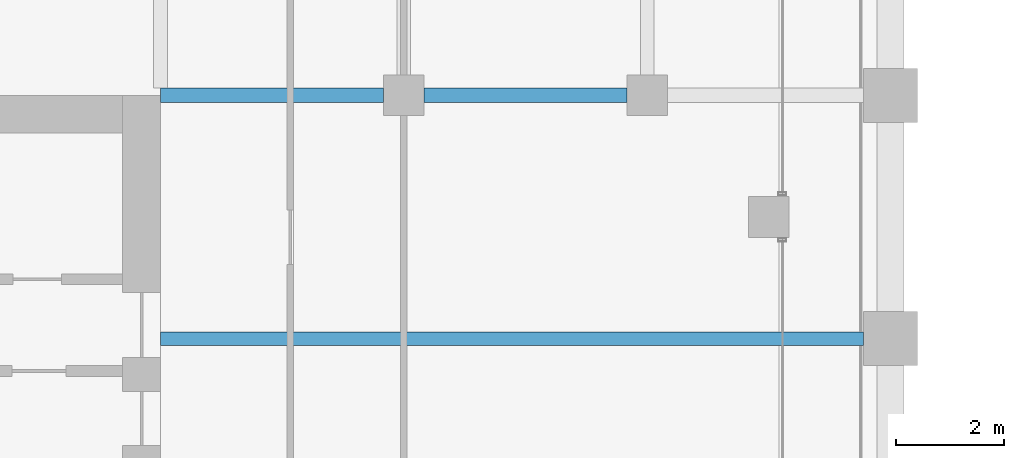
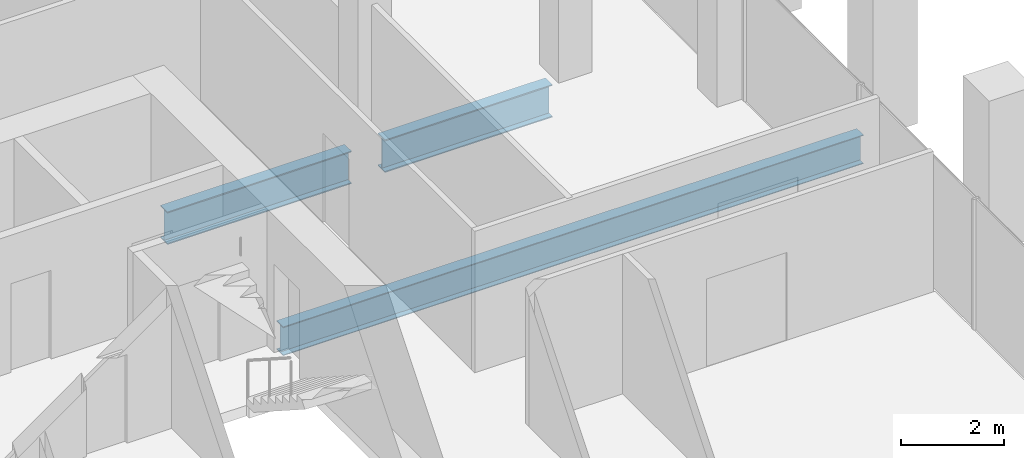
# One storey, part 18 of 45: 3 beams.
"""IFC4 building model written with IfcOpenShell, lengths in metres."""

from ifc_helpers import new_model, si_unit, direction, frame, origin, origin_2d, place, context, subcontext, project, spatial, i_section, extrude, material, material_profile, profile_set, type_object, element, save


model = new_model("IFC4")

# Units and contexts
model_context = context("Model", 3, precision=1e-05, world=origin(), true_north=direction((0.0, 1.0)))
body_context = subcontext(model_context, "Body", "Model", "MODEL_VIEW")
ifc_project = project(units=[si_unit("LENGTHUNIT", "METRE"), si_unit("AREAUNIT", "SQUARE_METRE"), si_unit("VOLUMEUNIT", "CUBIC_METRE"), si_unit("PLANEANGLEUNIT", "RADIAN"), si_unit("MASSUNIT", "GRAM", prefix="KILO")], contexts=[model_context])

# Site, building, storey
site_placement = place(None, origin())
site = spatial("IfcSite", under=ifc_project, at=site_placement, CompositionType="ELEMENT")
building_placement = place(site_placement, origin())
building = spatial("IfcBuilding", under=site, at=building_placement, Name="Altepetl Exchange Towers", CompositionType="ELEMENT")
storey_placement = place(building_placement, frame((0.0, 0.0, 110.0)))
storey = spatial("IfcBuildingStorey", under=building, at=storey_placement, Name="L27", CompositionType="ELEMENT", Elevation=110.0)

# Beams
ifc_material = material(Name="Steel S355", Category="steel")
ifc_material_profile_1 = material_profile(ifc_material, i_section(OverallWidth=0.25390625, OverallDepth=0.68408203125, WebThickness=0.012451171875, FlangeThickness=0.018798828125, at=origin_2d()), Name="W27X94")
ifc_profile_set_1 = profile_set([ifc_material_profile_1], Name="Steel S355")
beam_type_1 = type_object("IfcBeamType", Name="Floor beam W27X94", PredefinedType="BEAM", material=ifc_profile_set_1)
beam_1_placement = place(storey_placement, frame((58.5, 54.0, -0.491943359375), z_axis=(1.0, 0.0, 0.0), x_axis=(0.0, 1.0, 0.0)))
element("IfcBeam", 1, at=beam_1_placement, inside=storey, type_object=beam_type_1, Name="bm:A:L27:011", PredefinedType="BEAM", context=body_context, shape_type="SweptSolid", body=[
    extrude(i_section(OverallWidth=0.25390625, OverallDepth=0.68408203125, WebThickness=0.012451171875, FlangeThickness=0.018798828125, at=origin_2d()), origin(), (0.0, 0.0, 1.0), 13.0),
])
ifc_material_profile_2 = material_profile(ifc_material, i_section(OverallWidth=0.26806640625, OverallDepth=0.77392578125, WebThickness=0.015380859375, FlangeThickness=0.025390625, at=origin_2d()), Name="W30X132")
ifc_profile_set_2 = profile_set([ifc_material_profile_2], Name="Steel S355")
beam_type_2 = type_object("IfcBeamType", Name="Girder W30X132", PredefinedType="BEAM", material=ifc_profile_set_2)
beam_2_placement = place(storey_placement, frame((58.5, 58.5, -0.537109375), z_axis=(1.0, 0.0, 0.0), x_axis=(0.0, 1.0, 0.0)))
element("IfcBeam", 2, at=beam_2_placement, inside=storey, type_object=beam_type_2, Name="gd:A:L27:000", PredefinedType="BEAM", context=body_context, shape_type="SweptSolid", body=[
    extrude(i_section(OverallWidth=0.26806640625, OverallDepth=0.77392578125, WebThickness=0.015380859375, FlangeThickness=0.025390625, at=origin_2d()), origin(), (0.0, 0.0, 1.0), 4.125),
])
beam_3_placement = place(storey_placement, frame((63.375, 58.5, -0.537109375), z_axis=(1.0, 0.0, 0.0), x_axis=(0.0, 1.0, 0.0)))
element("IfcBeam", 3, at=beam_3_placement, inside=storey, type_object=beam_type_2, Name="gd:A:L27:001", PredefinedType="BEAM", context=body_context, shape_type="SweptSolid", body=[
    extrude(i_section(OverallWidth=0.26806640625, OverallDepth=0.77392578125, WebThickness=0.015380859375, FlangeThickness=0.025390625, at=origin_2d()), origin(), (0.0, 0.0, 1.0), 3.75),
])

save(model, "model.ifc")
